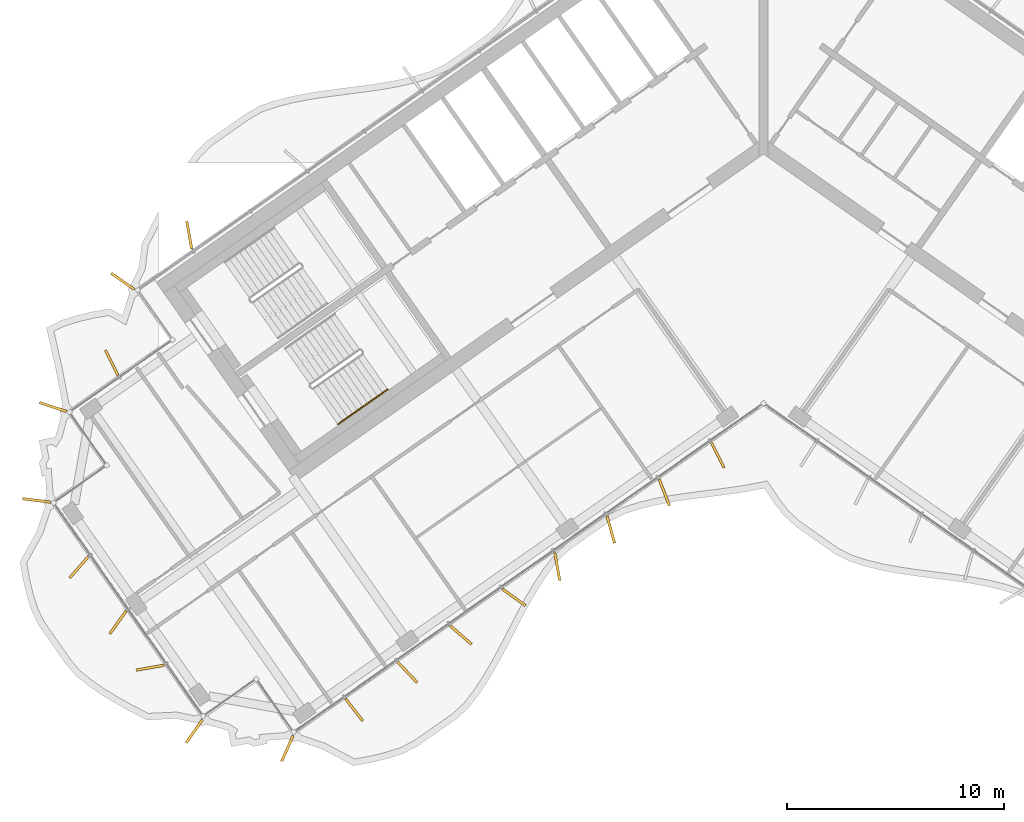
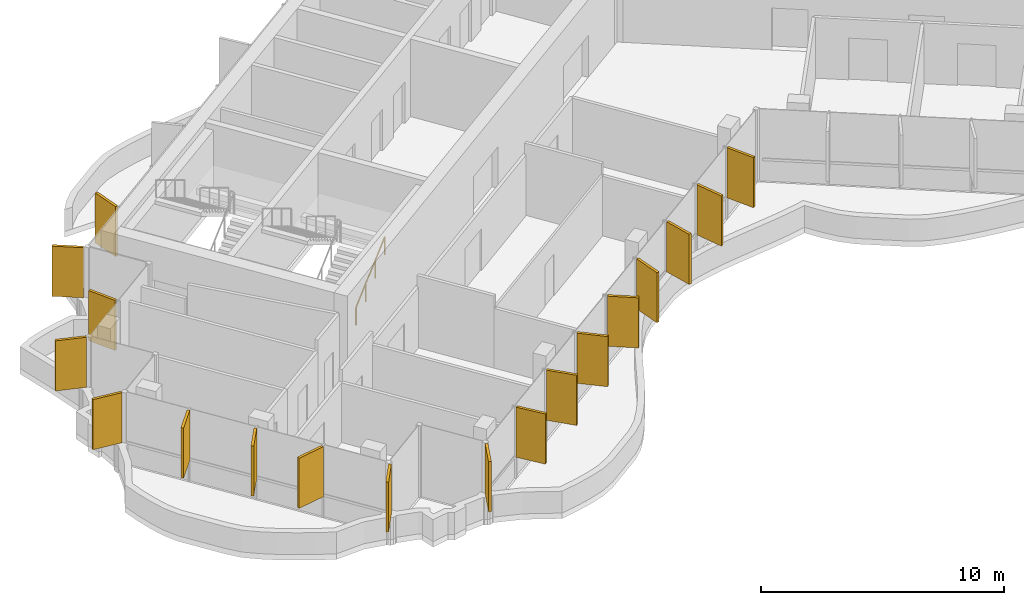
# One storey, part 14 of 18: 18 shading devices, 1 railing.
"""IFC4 building model written with IfcOpenShell, lengths in metres."""

from ifc_helpers import new_model, si_unit, direction, frame, origin, origin_2d, place, context, subcontext, project, spatial, rectangle, circle, extrude, material, layer, layer_set, type_object, element, save


model = new_model("IFC4")

# Units and contexts
model_context = context("Model", 3, precision=1e-05, world=origin(), true_north=direction((0.0, 1.0)))
body_context = subcontext(model_context, "Body", "Model", "MODEL_VIEW")
ifc_project = project(units=[si_unit("LENGTHUNIT", "METRE"), si_unit("AREAUNIT", "SQUARE_METRE"), si_unit("VOLUMEUNIT", "CUBIC_METRE"), si_unit("PLANEANGLEUNIT", "RADIAN"), si_unit("MASSUNIT", "GRAM", prefix="KILO")], contexts=[model_context])

# Site, building, storey
site_placement = place(None, origin())
site = spatial("IfcSite", under=ifc_project, at=site_placement, CompositionType="ELEMENT")
building_placement = place(site_placement, origin())
building = spatial("IfcBuilding", under=site, at=building_placement, Name="Tel Ilan Convention Tower", CompositionType="ELEMENT")
storey_placement = place(building_placement, frame((0.0, 0.0, 264.39990234375)))
storey = spatial("IfcBuildingStorey", under=building, at=storey_placement, Name="L62", CompositionType="ELEMENT", Elevation=264.39990234375)

# Shading devices
ifc_material_1 = material(Name="Aluminium, bronze anodised", Category="aluminium")
ifc_layer = layer(ifc_material_1, 0.1201171875)
ifc_layer_set = layer_set([ifc_layer], Name="FIN BRONZE 1300x120")
shading_device_type = type_object("IfcShadingDeviceType", Name="FIN BRONZE 1300x120", PredefinedType="USERDEFINED", material=ifc_layer_set)
for number, where, z_axis, x_axis, name in (
    (1, (-26.453369140625, -4.955078125, 1.10009765625), (0.0, 0.0, 1.0), (-0.173648177667, 0.984807753012, 0.0), "FIN"),
    (2, (-29.515625, -7.081787109375, 1.10009765625), (0.0, 0.0, 1.0), (-0.819152044289, 0.573576436351, 0.0), "FIN"),
    (3, (-30.024658203125, -10.828369140625, 1.10009765625), (0.0, 0.0, 1.0), (-0.448799180206, 0.893632640321, 0.0), "FIN"),
    (4, (-32.72900390625, -12.87353515625, 1.10009765625), (0.0, 0.0, 1.0), (-0.949242643575, 0.314544756146, 0.0), "FIN"),
    (5, (-33.48779296875, -17.175537109375, 1.10009765625), (0.0, 0.0, 1.0), (-0.992066016082, 0.125718016748, 0.0), "FIN"),
    (6, (-31.530029296875, -20.253662109375, 1.10009765625), (0.0, 0.0, 1.0), (-0.657521368568, -0.753435896329, 0.0), "FIN"),
    (7, (-29.735595703125, -22.79443359375, 1.10009765625), (0.0, 0.0, 1.0), (-0.581492071294, -0.813552070258, 0.0), "FIN"),
    (8, (-28.2529296875, -24.8798828125, 1.10009765625), (0.0, 0.0, 1.0), (-0.984807753012, -0.173648177667, 0.0), "FIN"),
    (9, (-26.22021484375, -27.80810546875, 1.10009765625), (0.0, 0.0, 1.0), (-0.573576436351, -0.819152044289, 0.0), "FIN"),
    (10, (-21.930419921875, -28.595947265625, 1.10009765625), (0.0, 0.0, 1.0), (-0.404964282034, -0.914332505315, 0.0), "FIN"),
    (11, (-18.85791015625, -26.818115234375, 1.10009765625), (0.0, 0.0, 1.0), (0.612600545196, -0.790392669516, 0.0), "FIN"),
    (12, (-16.399658203125, -25.096435546875, 1.10009765625), (0.0, 0.0, 1.0), (0.686241637865, -0.727373641577, 0.0), "FIN"),
    (13, (-13.945556640625, -23.3701171875, 1.10009765625), (0.0, 0.0, 1.0), (0.753435896329, -0.657521368568, 0.0), "FIN"),
    (14, (-11.49609375, -21.6396484375, 1.10009765625), (0.0, 0.0, 1.0), (0.813552070258, -0.581492071294, 0.0), "FIN"),
    (15, (-9.501708984375, -20.220703125, 1.10009765625), (0.0, 0.0, 1.0), (0.173648177667, -0.984807753012, 0.0), "FIN"),
    (16, (-7.0361328125, -18.516845703125, 1.10009765625), (0.0, 0.0, 1.0), (0.268172612768, -0.963370878614, 0.0), "FIN"),
    (17, (-4.572265625, -16.806884765625, 1.10009765625), (0.0, 0.0, 1.0), (0.360177724803, -0.932883704733, 0.0), "FIN"),
    (18, (-2.11083984375, -15.09130859375, 1.10009765625), (0.0, 0.0, 1.0), (0.448799180206, -0.893632640321, 0.0), "FIN"),
):
    element("IfcShadingDevice", number, at=place(storey_placement, frame(where, z_axis=z_axis, x_axis=x_axis)), inside=storey, type_object=shading_device_type, Name=name, ObjectType="FIN", PredefinedType="USERDEFINED", context=body_context, shape_type="SweptSolid", body=[
        extrude(rectangle(XDim=1.300048828125, YDim=0.1201171875, at=origin_2d()), origin(), (0.0, 0.0, 1.0), 2.52001953125),
    ])

# Railing
ifc_material_2 = material(Name="Stainless Steel Grade 316", Category="steel")
railing_type = type_object("IfcRailingType", Name="Stainless Steel Stair Handrail 900 mm", PredefinedType="HANDRAIL", material=ifc_material_2)
railing_placement = place(storey_placement, frame((-19.6064453125, -13.66748046875, 0.177490234375)))
element("IfcRailing", 19, at=railing_placement, inside=storey, type_object=railing_type, Name="L62 S2 stair handrail 1", PredefinedType="HANDRAIL", context=body_context, shape_type="SweptSolid", body=[
    extrude(circle(Radius=0.02392578125, at=origin_2d()), frame((0.0, 0.0, 0.8759765625), z_axis=(0.692123088272, 0.484596665743, 0.534912798717), x_axis=(-0.573550118428, 0.819170471667, 0.0)), (0.0, 0.0, 1.0), 3.31396484375),
    extrude(circle(Radius=0.02099609375, at=origin_2d()), origin(), (0.0, 0.0, 1.0), 0.851806640625),
    extrude(circle(Radius=0.02099609375, at=origin_2d()), frame((0.7646484375, 0.535400390625, 0.5908203125)), (0.0, 0.0, 1.0), 0.851806640625),
    extrude(circle(Radius=0.02099609375, at=origin_2d()), frame((1.529052734375, 1.070556640625, 1.181884765625)), (0.0, 0.0, 1.0), 0.851806640625),
    extrude(circle(Radius=0.02099609375, at=origin_2d()), frame((2.293701171875, 1.60595703125, 1.772705078125)), (0.0, 0.0, 1.0), 0.851806640625),
])

save(model, "model.ifc")
